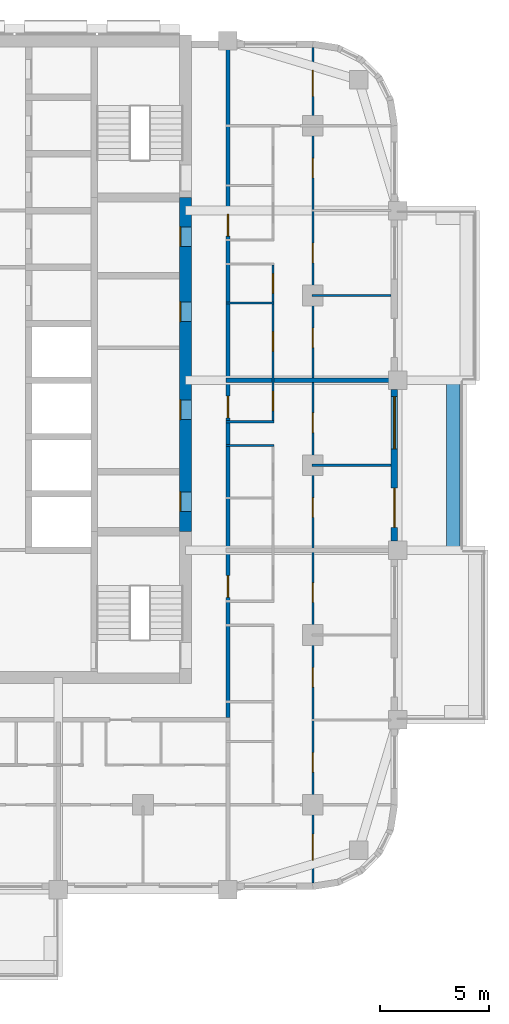
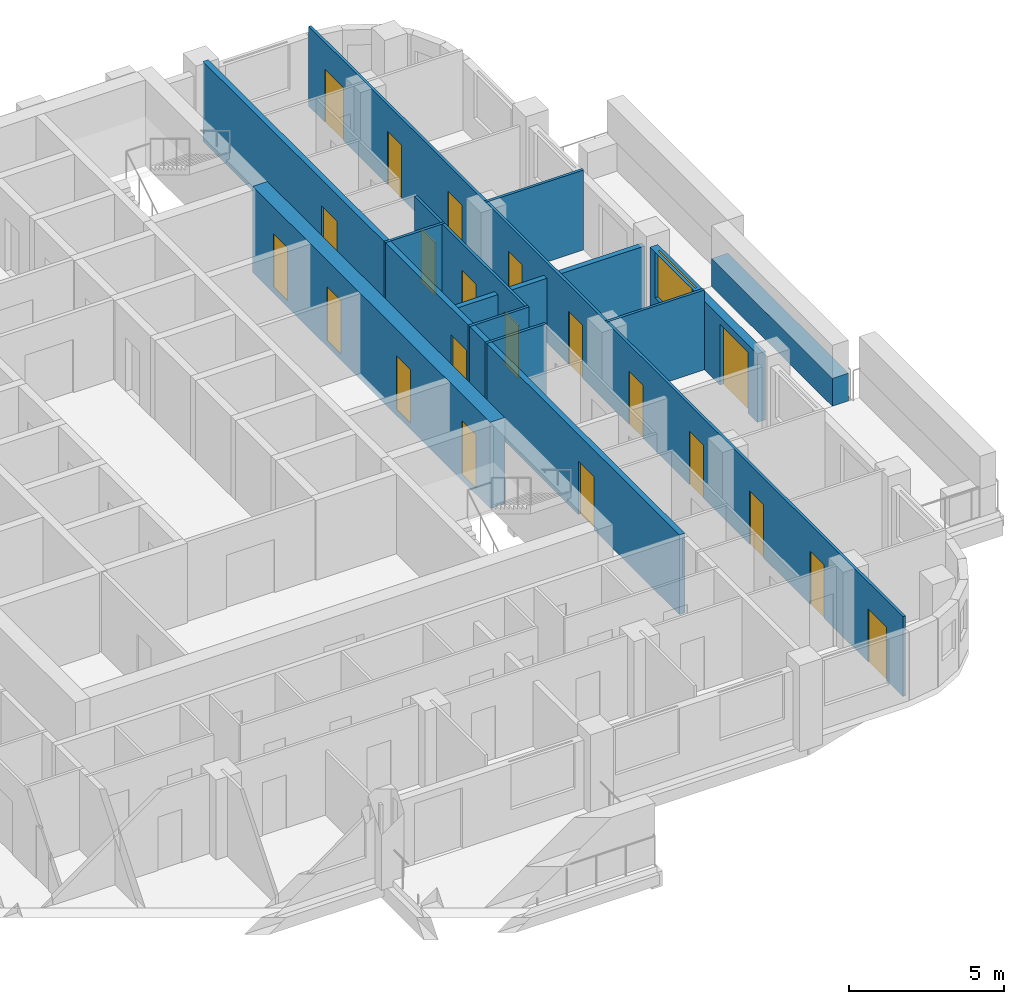
# One storey, part 7 of 14: 21 doors, 12 walls, 1 window, 22 openings.
"""IFC4 building model written with IfcOpenShell, lengths in metres."""

import ifcopenshell
import ifcopenshell.guid

model = None  # the IFC model being written
_history = None  # IfcOwnerHistory: only IFC2X3 demands one
_inside = {}  # id of a spatial element -> (the spatial element, [elements in it])
_under = {}  # id of a project, library or spatial element -> (it, [spatial elements below it])
_declared = {}  # id of a project -> (the project, [libraries it declares])
_typed = {}  # id of a type object -> (the type object, [elements of that type])
_made_of = {}  # id of a material, layer set ... -> (it, [elements and type objects made of it])


def new_model(schema):
    """Start an empty IFC model of exactly this schema.

    Asked for "IFC4X3", IfcOpenShell would pick the latest addendum, in which some entities
    have other attributes; the version numbers below select the first issue.
    IFC2X3 requires an IfcOwnerHistory on every rooted entity: one is made here for all.
    """
    global model, _history
    if schema == "IFC4X3":
        model = ifcopenshell.file(schema_version=(4, 3, 0, 0))
    else:
        model = ifcopenshell.file(schema=schema)
    _inside.clear()
    _under.clear()
    _declared.clear()
    _typed.clear()
    _made_of.clear()
    _history = None
    if model.schema == "IFC2X3":
        org = make("IfcOrganization", Name="unknown")
        user = make(
            "IfcPersonAndOrganization",
            ThePerson=make("IfcPerson", FamilyName="unknown"),
            TheOrganization=org,
        )
        app = make(
            "IfcApplication",
            ApplicationDeveloper=org,
            Version="unknown",
            ApplicationFullName="unknown",
            ApplicationIdentifier="unknown",
        )
        _history = make(
            "IfcOwnerHistory",
            OwningUser=user,
            OwningApplication=app,
            ChangeAction="ADDED",
            CreationDate=0,
        )
    return model


def make(cls, **values):
    """One entity of the class cls with the attributes given. An attribute that is None is left unset."""
    return model.create_entity(
        cls, **{name: value for name, value in values.items() if value is not None}
    )


def rooted(cls, **values):
    """An entity with a GlobalId (a new one), such as an element, a storey or a relation."""
    return make(cls, GlobalId=ifcopenshell.guid.new(), OwnerHistory=_history, **values)


def si_unit(unit_type, name, prefix=None):
    """IfcSIUnit, for example si_unit("LENGTHUNIT", "METRE", prefix="MILLI")."""
    return make("IfcSIUnit", UnitType=unit_type, Prefix=prefix, Name=name)


def assignment(units):
    """IfcUnitAssignment: the units of a project."""
    return None if units is None else make("IfcUnitAssignment", Units=units)


def point(xyz):
    """IfcCartesianPoint."""
    return None if xyz is None else make("IfcCartesianPoint", Coordinates=xyz)


def direction(xyz):
    """IfcDirection."""
    return None if xyz is None else make("IfcDirection", DirectionRatios=xyz)


def frame(location, z_axis=None, x_axis=None):
    """IfcAxis2Placement3D, a coordinate frame: its origin and axes. An axis left out is left unset."""
    return make(
        "IfcAxis2Placement3D",
        Location=point(location),
        Axis=direction(z_axis),
        RefDirection=direction(x_axis),
    )


def frame_2d(location, x_axis=None):
    """IfcAxis2Placement2D, a coordinate frame in the plane: its origin and x axis."""
    return make(
        "IfcAxis2Placement2D", Location=point(location), RefDirection=direction(x_axis)
    )


def origin():
    """The frame at (0, 0, 0) with its axes left unset."""
    return frame((0.0, 0.0, 0.0))


def place(relative_to, where):
    """IfcLocalPlacement: puts the frame where relative to a parent placement (None: the world)."""
    return make(
        "IfcLocalPlacement", PlacementRelTo=relative_to, RelativePlacement=where
    )


def context(
    kind, dimensions, precision=None, world=None, true_north=None, identifier=None
):
    """IfcGeometricRepresentationContext, for example the 3D "Model" context."""
    return make(
        "IfcGeometricRepresentationContext",
        ContextIdentifier=identifier,
        ContextType=kind,
        CoordinateSpaceDimension=dimensions,
        Precision=precision,
        WorldCoordinateSystem=world,
        TrueNorth=true_north,
    )


def subcontext(parent, identifier, kind, view, scale=None):
    """IfcGeometricRepresentationSubContext, for example "Body" below "Model"."""
    return make(
        "IfcGeometricRepresentationSubContext",
        ContextIdentifier=identifier,
        ContextType=kind,
        ParentContext=parent,
        TargetScale=scale,
        TargetView=view,
    )


def project(units=None, contexts=None):
    """IfcProject with its units and contexts."""
    return rooted(
        "IfcProject",
        Name="project",
        RepresentationContexts=contexts,
        UnitsInContext=assignment(units),
    )


def spatial(cls, under=None, at=None, **own):
    """A site, building, storey or space (cls), placed at a placement, below another one or the project."""
    s = rooted(cls, ObjectPlacement=at, **own)
    if under is not None:
        _under.setdefault(under.id(), (under, []))[1].append(s)
    return s


def profile(cls, at=None, kind="AREA", **sizes):
    """A parametric profile (cls). Its sizes go by their IFC names, for example OverallWidth=200.0."""
    return make(cls, ProfileType=kind, Position=at, **sizes)


def rectangle(**sizes):
    """IfcRectangleProfileDef."""
    return profile("IfcRectangleProfileDef", **sizes)


def extrude(swept, where, along, depth):
    """IfcExtrudedAreaSolid: the profile swept, set in the frame where, extruded along a direction by depth."""
    return make(
        "IfcExtrudedAreaSolid",
        SweptArea=swept,
        Position=where,
        ExtrudedDirection=direction(along),
        Depth=depth,
    )


def shape(context_of_items, identifier, shape_type, items):
    """IfcShapeRepresentation: the items that make up one representation, for example the "Body"."""
    return make(
        "IfcShapeRepresentation",
        ContextOfItems=context_of_items,
        RepresentationIdentifier=identifier,
        RepresentationType=shape_type,
        Items=items,
    )


def material(Name=None, Category=None):
    """IfcMaterial."""
    return make("IfcMaterial", Name=Name, Category=Category)


def layer(
    of_material, thickness, ventilated=None, Name=None, Category=None, Priority=None
):
    """IfcMaterialLayer: one layer of a wall or slab, of a material (None: an air gap)."""
    return make(
        "IfcMaterialLayer",
        Material=of_material,
        LayerThickness=thickness,
        IsVentilated=ventilated,
        Name=Name,
        Category=Category,
        Priority=Priority,
    )


def layer_set(layers, Name=None):
    """IfcMaterialLayerSet."""
    return make("IfcMaterialLayerSet", MaterialLayers=layers, LayerSetName=Name)


def made_of(thing, what):
    """Note that an element or type object is made of a material, layer set ...; save() writes the relation."""
    if what is not None:
        _made_of.setdefault(what.id(), (what, []))[1].append(thing)
    return thing


def type_object(cls, material=None, **own):
    """A type object (cls), such as IfcWallType, which elements share."""
    return made_of(rooted(cls, **own), material)


def element(
    cls,
    number,
    at=None,
    inside=None,
    cuts=None,
    type_object=None,
    material=None,
    context=None,
    identifier="Body",
    shape_type=None,
    held_by="IfcProductDefinitionShape",
    body=None,
    shapes=None,
    **own,
):
    """One element of the class cls, such as IfcWall. Its Tag is "e" and its number.

    at: its placement. inside: the storey or other place that contains it. cuts: it is an
    opening in that element (IfcRelVoidsElement). A single representation is given by context,
    identifier, shape_type and body (its items); several are given by shapes. held_by: the class
    of the entity that holds the representations. save() writes the other relations.
    """
    e = rooted(cls, Tag="e%d" % number, ObjectPlacement=at, **own)
    if body is not None:
        shapes = [shape(context, identifier, shape_type, body)]
    if shapes is not None:
        e.Representation = make(held_by, Representations=shapes)
    if inside is not None:
        _inside.setdefault(inside.id(), (inside, []))[1].append(e)
    if cuts is not None:
        rooted(
            "IfcRelVoidsElement", RelatingBuildingElement=cuts, RelatedOpeningElement=e
        )
    if type_object is not None:
        _typed.setdefault(type_object.id(), (type_object, []))[1].append(e)
    return made_of(e, material)


def fill(opening, filler):
    """IfcRelFillsElement: the door or window that sits in an opening."""
    return rooted(
        "IfcRelFillsElement",
        RelatingOpeningElement=opening,
        RelatedBuildingElement=filler,
    )


def aggregate(whole, parts):
    """IfcRelAggregates: a whole, such as a stair, and the parts it consists of."""
    return rooted("IfcRelAggregates", RelatingObject=whole, RelatedObjects=parts)


def save(model, path):
    """Write the relations noted so far, then the file.

    IfcRelAggregates (storeys below a building ...), IfcRelContainedInSpatialStructure (elements
    in a storey), IfcRelDefinesByType, IfcRelAssociatesMaterial and IfcRelDeclares: one each for
    every whole, place, type object, material and project.
    """
    for whole, parts in _under.values():
        aggregate(whole, parts)
    for where, things in _inside.values():
        rooted(
            "IfcRelContainedInSpatialStructure",
            RelatedElements=things,
            RelatingStructure=where,
        )
    for kind, things in _typed.values():
        rooted("IfcRelDefinesByType", RelatedObjects=things, RelatingType=kind)
    for what, things in _made_of.values():
        rooted("IfcRelAssociatesMaterial", RelatedObjects=things, RelatingMaterial=what)
    for by, libraries in _declared.values():
        rooted("IfcRelDeclares", RelatingContext=by, RelatedDefinitions=libraries)
    model.write(path)


model = new_model("IFC4")

# Units and contexts
model_context = context("Model", 3, precision=1e-05, world=origin(), true_north=direction((0.0, 1.0)))
body_context = subcontext(model_context, "Body", "Model", "MODEL_VIEW")
ifc_project = project(units=[si_unit("LENGTHUNIT", "METRE"), si_unit("AREAUNIT", "SQUARE_METRE"), si_unit("VOLUMEUNIT", "CUBIC_METRE"), si_unit("PLANEANGLEUNIT", "RADIAN"), si_unit("MASSUNIT", "GRAM", prefix="KILO")], contexts=[model_context])

# Site, building, storey
site_placement = place(None, origin())
site = spatial("IfcSite", under=ifc_project, at=site_placement, CompositionType="ELEMENT")
building_placement = place(site_placement, origin())
building = spatial("IfcBuilding", under=site, at=building_placement, Name="Ludao Terraces", CompositionType="ELEMENT")
storey_placement = place(building_placement, frame((0.0, 0.0, 103.300048828125)))
storey = spatial("IfcBuildingStorey", under=building, at=storey_placement, Name="L28", CompositionType="ELEMENT", Elevation=103.300048828125)

# Wall, openings, doors
ifc_material_1 = material(Name="Concrete C60", Category="concrete")
ifc_layer_1 = layer(ifc_material_1, 0.550048828125)
ifc_layer_set_1 = layer_set([ifc_layer_1], Name="Core wall 550 C60")
wall_type_1 = type_object("IfcWallType", Name="Core wall 550 C60", PredefinedType="SOLIDWALL", material=ifc_layer_set_1)
wall_1_placement = place(storey_placement, frame((94.75, 61.949951171875, -0.25), z_axis=(0.0, 0.0, 1.0), x_axis=(0.0, 1.0, 0.0)))
wall_1 = element("IfcWall", 1, at=wall_1_placement, inside=storey, type_object=wall_type_1, Name="Core wall L28 outer-E", PredefinedType="SOLIDWALL", context=body_context, shape_type="SweptSolid", body=[
    extrude(rectangle(XDim=15.35009765625, YDim=0.550048828125, at=frame_2d((7.675048828125, 0.0))), origin(), (0.0, 0.0, 1.0), 3.39990234375),
])
opening_1_placement = place(wall_1_placement, frame((0.925048828125, 0.0, 0.25)))
opening_1 = element("IfcOpeningElement", 2, at=opening_1_placement, cuts=wall_1, Name="Opening R08-049", PredefinedType="OPENING", context=body_context, shape_type="SweptSolid", body=[
    extrude(rectangle(XDim=0.89990234375, YDim=2.10009765625, at=frame_2d((0.449951171875, 1.050048828125))), frame((0.0, 0.28515625, 0.0), z_axis=(0.0, -1.0, 0.0), x_axis=(1.0, 0.0, 0.0)), (0.0, 0.0, 1.0), 0.570068359375),
])
opening_2_placement = place(wall_1_placement, frame((5.14990234375, 0.0, 0.25)))
opening_2 = element("IfcOpeningElement", 3, at=opening_2_placement, cuts=wall_1, Name="Opening R08-057", PredefinedType="OPENING", context=body_context, shape_type="SweptSolid", body=[
    extrude(rectangle(XDim=0.89990234375, YDim=2.10009765625, at=frame_2d((0.449951171875, 1.050048828125))), frame((0.0, 0.28515625, 0.0), z_axis=(0.0, -1.0, 0.0), x_axis=(1.0, 0.0, 0.0)), (0.0, 0.0, 1.0), 0.570068359375),
])
opening_3_placement = place(wall_1_placement, frame((9.64990234375, 0.0, 0.25)))
opening_3 = element("IfcOpeningElement", 4, at=opening_3_placement, cuts=wall_1, Name="Opening R08-067", PredefinedType="OPENING", context=body_context, shape_type="SweptSolid", body=[
    extrude(rectangle(XDim=0.89990234375, YDim=2.10009765625, at=frame_2d((0.449951171875, 1.050048828125))), frame((0.0, 0.28515625, 0.0), z_axis=(0.0, -1.0, 0.0), x_axis=(1.0, 0.0, 0.0)), (0.0, 0.0, 1.0), 0.570068359375),
])
opening_4_placement = place(wall_1_placement, frame((13.10009765625, 0.0, 0.25)))
opening_4 = element("IfcOpeningElement", 5, at=opening_4_placement, cuts=wall_1, Name="Opening R08-081", PredefinedType="OPENING", context=body_context, shape_type="SweptSolid", body=[
    extrude(rectangle(XDim=0.89990234375, YDim=2.10009765625, at=frame_2d((0.449951171875, 1.050048828125))), frame((0.0, 0.28515625, 0.0), z_axis=(0.0, -1.0, 0.0), x_axis=(1.0, 0.0, 0.0)), (0.0, 0.0, 1.0), 0.570068359375),
])
ifc_material_2 = material(Name="Steel Q235", Category="steel")
door_type_1 = type_object("IfcDoorType", Name="INT Riser door 900", OperationType="SINGLE_SWING_LEFT", PredefinedType="DOOR", material=ifc_material_2)
door_1_placement = place(opening_1_placement, origin())
door_1 = element("IfcDoor", 6, at=door_1_placement, inside=storey, type_object=door_type_1, Name="DOOR 049", OperationType="SINGLE_SWING_LEFT", OverallHeight=2.10009765625, OverallWidth=0.89990234375, PredefinedType="DOOR", context=body_context, shape_type="SweptSolid", body=[
    extrude(rectangle(XDim=0.89990234375, YDim=2.10009765625, at=frame_2d((0.449951171875, 1.050048828125))), frame((0.0, 0.26025390625, 0.0), z_axis=(0.0, -1.0, 0.0), x_axis=(1.0, 0.0, 0.0)), (0.0, 0.0, 1.0), 0.050048828125),
])
fill(opening_1, door_1)
door_2_placement = place(opening_4_placement, origin())
door_2 = element("IfcDoor", 7, at=door_2_placement, inside=storey, type_object=door_type_1, Name="DOOR 081", OperationType="SINGLE_SWING_RIGHT", OverallHeight=2.10009765625, OverallWidth=0.89990234375, PredefinedType="DOOR", context=body_context, shape_type="SweptSolid", body=[
    extrude(rectangle(XDim=0.89990234375, YDim=2.10009765625, at=frame_2d((0.449951171875, 1.050048828125))), frame((0.0, 0.26025390625, 0.0), z_axis=(0.0, -1.0, 0.0), x_axis=(1.0, 0.0, 0.0)), (0.0, 0.0, 1.0), 0.050048828125),
])
fill(opening_4, door_2)
ifc_material_3 = material(Name="Timber door leaf", Category="wood")
door_type_2 = type_object("IfcDoorType", Name="INT Room door 900", OperationType="SINGLE_SWING_LEFT", PredefinedType="DOOR", material=ifc_material_3)
door_3_placement = place(opening_2_placement, origin())
door_3 = element("IfcDoor", 8, at=door_3_placement, inside=storey, type_object=door_type_2, Name="DOOR 057", OperationType="SINGLE_SWING_LEFT", OverallHeight=2.10009765625, OverallWidth=0.89990234375, PredefinedType="DOOR", context=body_context, shape_type="SweptSolid", body=[
    extrude(rectangle(XDim=0.89990234375, YDim=2.10009765625, at=frame_2d((0.449951171875, 1.050048828125))), frame((0.0, 0.26025390625, 0.0), z_axis=(0.0, -1.0, 0.0), x_axis=(1.0, 0.0, 0.0)), (0.0, 0.0, 1.0), 0.050048828125),
])
fill(opening_2, door_3)
door_4_placement = place(opening_3_placement, origin())
door_4 = element("IfcDoor", 9, at=door_4_placement, inside=storey, type_object=door_type_2, Name="DOOR 067", OperationType="SINGLE_SWING_RIGHT", OverallHeight=2.10009765625, OverallWidth=0.89990234375, PredefinedType="DOOR", context=body_context, shape_type="SweptSolid", body=[
    extrude(rectangle(XDim=0.89990234375, YDim=2.10009765625, at=frame_2d((0.449951171875, 1.050048828125))), frame((0.0, 0.26025390625, 0.0), z_axis=(0.0, -1.0, 0.0), x_axis=(1.0, 0.0, 0.0)), (0.0, 0.0, 1.0), 0.050048828125),
])
fill(opening_3, door_4)

# Wall
ifc_material_4 = material(Name="Concrete C40", Category="concrete")
ifc_layer_2 = layer(ifc_material_4, 0.60009765625)
ifc_layer_set_2 = layer_set([ifc_layer_2], Name="ENV Planter trough 600")
wall_type_2 = type_object("IfcWallType", Name="ENV Planter trough 600", PredefinedType="USERDEFINED", material=ifc_layer_set_2)
wall_2_placement = place(storey_placement, frame((107.050048828125, 61.10009765625, 0.0), z_axis=(0.0, 0.0, 1.0), x_axis=(0.0, 1.0, 0.0)))
element("IfcWall", 10, at=wall_2_placement, inside=storey, type_object=wall_type_2, Name="PL-L28-E2", ObjectType="PLANTER", PredefinedType="USERDEFINED", context=body_context, shape_type="SweptSolid", body=[
    extrude(rectangle(XDim=7.7998046875, YDim=0.60009765625, at=frame_2d((3.89990234375, 0.0))), origin(), (0.0, 0.0, 1.0), 1.099853515625),
])

# Wall, openings, door, window
ifc_material_5 = material(Name="Granite cladding", Category="masonry")
ifc_layer_3 = layer(ifc_material_5, 0.0400390625, Category="stone")
ifc_material_6 = material(Name="Mineral wool")
ifc_layer_4 = layer(ifc_material_6, 0.06005859375)
ifc_layer_5 = layer(ifc_material_4, 0.199951171875, Category="concrete")
ifc_layer_set_3 = layer_set([ifc_layer_3, ifc_layer_4, ifc_layer_5], Name="ENV Stone-clad wall 300")
wall_type_3 = type_object("IfcWallType", Name="ENV Stone-clad wall 300", PredefinedType="SOLIDWALL", material=ifc_layer_set_3)
wall_3_placement = place(storey_placement, frame((104.35009765625, 61.52490234375, 0.0), z_axis=(0.0, 0.0, 1.0), x_axis=(0.0, 1.0, 0.0)))
wall_3 = element("IfcWall", 11, at=wall_3_placement, inside=storey, type_object=wall_type_3, Name="EW-L28-E3", PredefinedType="SOLIDWALL", context=body_context, shape_type="SweptSolid", body=[
    extrude(rectangle(XDim=6.9501953125, YDim=0.300048828125, at=frame_2d((3.47509765625, 0.0))), origin(), (0.0, 0.0, 1.0), 2.699951171875),
])
opening_5_placement = place(wall_3_placement, frame((0.625, 0.0, 0.0)))
opening_5 = element("IfcOpeningElement", 12, at=opening_5_placement, cuts=wall_3, Name="Opening BD", PredefinedType="OPENING", context=body_context, shape_type="SweptSolid", body=[
    extrude(rectangle(XDim=1.800048828125, YDim=2.39990234375, at=frame_2d((0.89990234375, 1.199951171875))), frame((0.0, 0.16015625, 0.0), z_axis=(0.0, -1.0, 0.0), x_axis=(1.0, 0.0, 0.0)), (0.0, 0.0, 1.0), 0.320068359375),
])
opening_6_placement = place(wall_3_placement, frame((4.22509765625, 0.0, 0.89990234375)))
opening_6 = element("IfcOpeningElement", 13, at=opening_6_placement, cuts=wall_3, Name="Opening W1", PredefinedType="OPENING", context=body_context, shape_type="SweptSolid", body=[
    extrude(rectangle(XDim=2.39990234375, YDim=1.800048828125, at=frame_2d((1.199951171875, 0.89990234375))), frame((0.0, 0.16015625, 0.0), z_axis=(0.0, -1.0, 0.0), x_axis=(1.0, 0.0, 0.0)), (0.0, 0.0, 1.0), 0.320068359375),
])
ifc_material_7 = material(Name="Aluminium glazed door", Category="aluminium")
ifc_layer_6 = layer(ifc_material_7, 0.06005859375)
ifc_layer_set_4 = layer_set([ifc_layer_6], Name="ENV Balcony door BD 1800x2400")
door_type_3 = type_object("IfcDoorType", Name="ENV Balcony door BD 1800x2400", OperationType="DOUBLE_DOOR_SINGLE_SWING", PredefinedType="DOOR", material=ifc_layer_set_4)
door_5_placement = place(opening_5_placement, origin())
door_5 = element("IfcDoor", 14, at=door_5_placement, inside=storey, type_object=door_type_3, Name="BD-L28-E3-1", OperationType="DOUBLE_DOOR_SINGLE_SWING", OverallHeight=2.39990234375, OverallWidth=1.800048828125, PredefinedType="DOOR", context=body_context, shape_type="SweptSolid", body=[
    extrude(rectangle(XDim=1.800048828125, YDim=2.39990234375, at=frame_2d((0.89990234375, 1.199951171875))), frame((0.0, 0.02490234375, 0.0), z_axis=(0.0, -1.0, 0.0), x_axis=(1.0, 0.0, 0.0)), (0.0, 0.0, 1.0), 0.050048828125),
])
fill(opening_5, door_5)
ifc_material_8 = material(Name="Clear glass in aluminium frame", Category="aluminium")
ifc_layer_7 = layer(ifc_material_8, 0.06005859375)
ifc_layer_set_5 = layer_set([ifc_layer_7], Name="ENV Window W1 2400x1800")
window_type = type_object("IfcWindowType", Name="ENV Window W1 2400x1800", PartitioningType="DOUBLE_PANEL_VERTICAL", PredefinedType="WINDOW", material=ifc_layer_set_5)
window_placement = place(opening_6_placement, origin())
window = element("IfcWindow", 15, at=window_placement, inside=storey, type_object=window_type, Name="W-L28-E3-2", OverallHeight=1.800048828125, OverallWidth=2.39990234375, PartitioningType="DOUBLE_PANEL_VERTICAL", PredefinedType="WINDOW", context=body_context, shape_type="SweptSolid", body=[
    extrude(rectangle(XDim=2.39990234375, YDim=1.800048828125, at=frame_2d((1.199951171875, 0.89990234375))), frame((0.0, 0.030029296875, 0.0), z_axis=(0.0, -1.0, 0.0), x_axis=(1.0, 0.0, 0.0)), (0.0, 0.0, 1.0), 0.06005859375),
])
fill(opening_6, window)

# Wall, openings, doors
ifc_material_9 = material(Name="Autoclaved aerated concrete block B06 A3.5", Category="concrete")
ifc_layer_8 = layer(ifc_material_9, 0.199951171875)
ifc_layer_set_6 = layer_set([ifc_layer_8], Name="INT Entrance wall 200")
wall_type_4 = type_object("IfcWallType", Name="INT Entrance wall 200", PredefinedType="PARTITIONING", material=ifc_layer_set_6)
wall_4_placement = place(storey_placement, frame((96.699951171875, 53.400146484375, 0.0), z_axis=(0.0, 0.0, 1.0), x_axis=(0.0, 1.0, 0.0)))
wall_4 = element("IfcWall", 16, at=wall_4_placement, inside=storey, type_object=wall_type_4, Name="PW-L28-PW072", PredefinedType="PARTITIONING", context=body_context, shape_type="SweptSolid", body=[
    extrude(rectangle(XDim=30.800048828125, YDim=0.199951171875, at=frame_2d((15.39990234375, 0.0))), origin(), (0.0, 0.0, 1.0), 3.14990234375),
])
opening_7_placement = place(wall_4_placement, frame((5.52490234375, 0.0, 0.0)))
opening_7 = element("IfcOpeningElement", 17, at=opening_7_placement, cuts=wall_4, Name="Opening R08-039", PredefinedType="OPENING", context=body_context, shape_type="SweptSolid", body=[
    extrude(rectangle(XDim=1.0, YDim=2.10009765625, at=frame_2d((0.5, 1.050048828125))), frame((0.0, 0.10986328125, 0.0), z_axis=(0.0, -1.0, 0.0), x_axis=(1.0, 0.0, 0.0)), (0.0, 0.0, 1.0), 0.219970703125),
])
opening_8_placement = place(wall_4_placement, frame((13.77490234375, 0.0, 0.0)))
opening_8 = element("IfcOpeningElement", 18, at=opening_8_placement, cuts=wall_4, Name="Opening R08-059", PredefinedType="OPENING", context=body_context, shape_type="SweptSolid", body=[
    extrude(rectangle(XDim=1.0, YDim=2.10009765625, at=frame_2d((0.5, 1.050048828125))), frame((0.0, 0.10986328125, 0.0), z_axis=(0.0, -1.0, 0.0), x_axis=(1.0, 0.0, 0.0)), (0.0, 0.0, 1.0), 0.219970703125),
])
opening_9_placement = place(wall_4_placement, frame((22.125, 0.0, 0.0)))
opening_9 = element("IfcOpeningElement", 19, at=opening_9_placement, cuts=wall_4, Name="Opening R08-082", PredefinedType="OPENING", context=body_context, shape_type="SweptSolid", body=[
    extrude(rectangle(XDim=1.0, YDim=2.10009765625, at=frame_2d((0.5, 1.050048828125))), frame((0.0, 0.10986328125, 0.0), z_axis=(0.0, -1.0, 0.0), x_axis=(1.0, 0.0, 0.0)), (0.0, 0.0, 1.0), 0.219970703125),
])
door_type_4 = type_object("IfcDoorType", Name="INT Flat entrance door 1000", OperationType="SINGLE_SWING_LEFT", PredefinedType="DOOR", material=ifc_material_2)
door_6_placement = place(opening_7_placement, origin())
door_6 = element("IfcDoor", 20, at=door_6_placement, inside=storey, type_object=door_type_4, Name="DOOR 039", OperationType="SINGLE_SWING_LEFT", OverallHeight=2.10009765625, OverallWidth=1.0, PredefinedType="DOOR", context=body_context, shape_type="SweptSolid", body=[
    extrude(rectangle(XDim=1.0, YDim=2.10009765625, at=frame_2d((0.5, 1.050048828125))), frame((0.0, 0.02490234375, 0.0), z_axis=(0.0, -1.0, 0.0), x_axis=(1.0, 0.0, 0.0)), (0.0, 0.0, 1.0), 0.050048828125),
])
fill(opening_7, door_6)
door_7_placement = place(opening_8_placement, origin())
door_7 = element("IfcDoor", 21, at=door_7_placement, inside=storey, type_object=door_type_4, Name="DOOR 059", OperationType="SINGLE_SWING_LEFT", OverallHeight=2.10009765625, OverallWidth=1.0, PredefinedType="DOOR", context=body_context, shape_type="SweptSolid", body=[
    extrude(rectangle(XDim=1.0, YDim=2.10009765625, at=frame_2d((0.5, 1.050048828125))), frame((0.0, 0.02490234375, 0.0), z_axis=(0.0, -1.0, 0.0), x_axis=(1.0, 0.0, 0.0)), (0.0, 0.0, 1.0), 0.050048828125),
])
fill(opening_8, door_7)
door_8_placement = place(opening_9_placement, origin())
door_8 = element("IfcDoor", 22, at=door_8_placement, inside=storey, type_object=door_type_4, Name="DOOR 082", OperationType="SINGLE_SWING_LEFT", OverallHeight=2.10009765625, OverallWidth=1.0, PredefinedType="DOOR", context=body_context, shape_type="SweptSolid", body=[
    extrude(rectangle(XDim=1.0, YDim=2.10009765625, at=frame_2d((0.5, 1.050048828125))), frame((0.0, 0.02490234375, 0.0), z_axis=(0.0, -1.0, 0.0), x_axis=(1.0, 0.0, 0.0)), (0.0, 0.0, 1.0), 0.050048828125),
])
fill(opening_9, door_8)

# Walls
ifc_material_10 = material(Name="Gypsum plasterboard", Category="gypsum")
ifc_layer_9 = layer(ifc_material_10, 0.012451171875, Category="gypsum")
ifc_layer_10 = layer(ifc_material_6, 0.06005859375, Name="insulation")
ifc_layer_11 = layer(ifc_material_2, 0.014892578125, Name="stud")
ifc_layer_12 = layer(ifc_material_10, 0.012451171875, Category="gypsum")
ifc_layer_set_7 = layer_set([ifc_layer_9, ifc_layer_10, ifc_layer_11, ifc_layer_12], Name="INT Partition 100")
wall_type_5 = type_object("IfcWallType", Name="INT Partition 100", PredefinedType="PARTITIONING", material=ifc_layer_set_7)
wall_5_placement = place(storey_placement, frame((100.550048828125, 65.0, 0.0), z_axis=(0.0, 0.0, 1.0), x_axis=(1.0, 0.0, 0.0)))
element("IfcWall", 23, at=wall_5_placement, inside=storey, type_object=wall_type_5, Name="PW-L28-PW024", PredefinedType="PARTITIONING", context=body_context, shape_type="SweptSolid", body=[
    extrude(rectangle(XDim=3.650146484375, YDim=0.10009765625, at=frame_2d((1.8251953125, 0.0))), origin(), (0.0, 0.0, 1.0), 3.14990234375),
])
for number, where, z_axis, x_axis, name in (
    (24, (96.60009765625, 65.89990234375, 0.0), (0.0, 0.0, 1.0), (1.0, 0.0, 0.0), "PW-L28-PW025"),
    (25, (96.60009765625, 67.0, 0.0), (0.0, 0.0, 1.0), (1.0, 0.0, 0.0), "PW-L28-PW026"),
    (26, (96.60009765625, 72.449951171875, 0.0), (0.0, 0.0, 1.0), (1.0, 0.0, 0.0), "PW-L28-PW035"),
):
    element("IfcWall", number, at=place(storey_placement, frame(where, z_axis=z_axis, x_axis=x_axis)), inside=storey, type_object=wall_type_5, Name=name, PredefinedType="PARTITIONING", context=body_context, shape_type="SweptSolid", body=[
        extrude(rectangle(XDim=2.219970703125, YDim=0.10009765625, at=frame_2d((1.10986328125, 0.0))), origin(), (0.0, 0.0, 1.0), 3.14990234375),
    ])
wall_6_placement = place(storey_placement, frame((100.550048828125, 72.800048828125, 0.0), z_axis=(0.0, 0.0, 1.0), x_axis=(1.0, 0.0, 0.0)))
element("IfcWall", 27, at=wall_6_placement, inside=storey, type_object=wall_type_5, Name="PW-L28-PW037", PredefinedType="PARTITIONING", context=body_context, shape_type="SweptSolid", body=[
    extrude(rectangle(XDim=3.650146484375, YDim=0.10009765625, at=frame_2d((1.8251953125, 0.0))), origin(), (0.0, 0.0, 1.0), 3.14990234375),
])

# Wall, openings, doors
wall_7_placement = place(storey_placement, frame((98.77001953125, 67.050048828125, 0.0), z_axis=(0.0, 0.0, 1.0), x_axis=(0.0, 1.0, 0.0)))
wall_7 = element("IfcWall", 28, at=wall_7_placement, inside=storey, type_object=wall_type_5, Name="PW-L28-PW075", PredefinedType="PARTITIONING", context=body_context, shape_type="SweptSolid", body=[
    extrude(rectangle(XDim=7.150146484375, YDim=0.10009765625, at=frame_2d((3.5751953125, 0.0))), origin(), (0.0, 0.0, 1.0), 3.14990234375),
])
opening_10_placement = place(wall_7_placement, frame((0.449951171875, 0.0, 0.0)))
opening_10 = element("IfcOpeningElement", 29, at=opening_10_placement, cuts=wall_7, Name="Opening R08-060", PredefinedType="OPENING", context=body_context, shape_type="SweptSolid", body=[
    extrude(rectangle(XDim=0.89990234375, YDim=2.10009765625, at=frame_2d((0.449951171875, 1.050048828125))), frame((0.0, 0.06005859375, 0.0), z_axis=(0.0, -1.0, 0.0), x_axis=(1.0, 0.0, 0.0)), (0.0, 0.0, 1.0), 0.1201171875),
])
opening_11_placement = place(wall_7_placement, frame((3.175048828125, 0.0, 0.0)))
opening_11 = element("IfcOpeningElement", 30, at=opening_11_placement, cuts=wall_7, Name="Opening R08-064", PredefinedType="OPENING", context=body_context, shape_type="SweptSolid", body=[
    extrude(rectangle(XDim=0.89990234375, YDim=2.10009765625, at=frame_2d((0.449951171875, 1.050048828125))), frame((0.0, 0.06005859375, 0.0), z_axis=(0.0, -1.0, 0.0), x_axis=(1.0, 0.0, 0.0)), (0.0, 0.0, 1.0), 0.1201171875),
])
opening_12_placement = place(wall_7_placement, frame((5.85009765625, 0.0, 0.0)))
opening_12 = element("IfcOpeningElement", 31, at=opening_12_placement, cuts=wall_7, Name="Opening R08-073", PredefinedType="OPENING", context=body_context, shape_type="SweptSolid", body=[
    extrude(rectangle(XDim=0.89990234375, YDim=2.10009765625, at=frame_2d((0.449951171875, 1.050048828125))), frame((0.0, 0.06005859375, 0.0), z_axis=(0.0, -1.0, 0.0), x_axis=(1.0, 0.0, 0.0)), (0.0, 0.0, 1.0), 0.1201171875),
])
door_type_5 = type_object("IfcDoorType", Name="INT Bathroom door 900", OperationType="SINGLE_SWING_LEFT", PredefinedType="DOOR", material=ifc_material_3)
door_9_placement = place(opening_12_placement, origin())
door_9 = element("IfcDoor", 32, at=door_9_placement, inside=storey, type_object=door_type_5, Name="DOOR 073", OperationType="SINGLE_SWING_RIGHT", OverallHeight=2.10009765625, OverallWidth=0.89990234375, PredefinedType="DOOR", context=body_context, shape_type="SweptSolid", body=[
    extrude(rectangle(XDim=0.89990234375, YDim=2.10009765625, at=frame_2d((0.449951171875, 1.050048828125))), frame((0.0, 0.02490234375, 0.0), z_axis=(0.0, -1.0, 0.0), x_axis=(1.0, 0.0, 0.0)), (0.0, 0.0, 1.0), 0.050048828125),
])
fill(opening_12, door_9)
door_10_placement = place(opening_10_placement, origin())
door_10 = element("IfcDoor", 33, at=door_10_placement, inside=storey, type_object=door_type_2, Name="DOOR 060", OperationType="SINGLE_SWING_RIGHT", OverallHeight=2.10009765625, OverallWidth=0.89990234375, PredefinedType="DOOR", context=body_context, shape_type="SweptSolid", body=[
    extrude(rectangle(XDim=0.89990234375, YDim=2.10009765625, at=frame_2d((0.449951171875, 1.050048828125))), frame((0.0, 0.02490234375, 0.0), z_axis=(0.0, -1.0, 0.0), x_axis=(1.0, 0.0, 0.0)), (0.0, 0.0, 1.0), 0.050048828125),
])
fill(opening_10, door_10)
door_11_placement = place(opening_11_placement, origin())
door_11 = element("IfcDoor", 34, at=door_11_placement, inside=storey, type_object=door_type_2, Name="DOOR 064", OperationType="SINGLE_SWING_LEFT", OverallHeight=2.10009765625, OverallWidth=0.89990234375, PredefinedType="DOOR", context=body_context, shape_type="SweptSolid", body=[
    extrude(rectangle(XDim=0.89990234375, YDim=2.10009765625, at=frame_2d((0.449951171875, 1.050048828125))), frame((0.0, 0.02490234375, 0.0), z_axis=(0.0, -1.0, 0.0), x_axis=(1.0, 0.0, 0.0)), (0.0, 0.0, 1.0), 0.050048828125),
])
fill(opening_11, door_11)

wall_8_placement = place(storey_placement, frame((100.60009765625, 45.800048828125, 0.0), z_axis=(0.0, 0.0, 1.0), x_axis=(0.0, 1.0, 0.0)))
wall_8 = element("IfcWall", 35, at=wall_8_placement, inside=storey, type_object=wall_type_5, Name="PW-L28-PW077", PredefinedType="PARTITIONING", context=body_context, shape_type="SweptSolid", body=[
    extrude(rectangle(XDim=38.400146484375, YDim=0.10009765625, at=frame_2d((19.2001953125, 0.0))), origin(), (0.0, 0.0, 1.0), 3.14990234375),
])
opening_13_placement = place(wall_8_placement, frame((1.050048828125, 0.0, 0.0)))
opening_13 = element("IfcOpeningElement", 36, at=opening_13_placement, cuts=wall_8, Name="Opening R08-002", PredefinedType="OPENING", context=body_context, shape_type="SweptSolid", body=[
    extrude(rectangle(XDim=1.199951171875, YDim=2.10009765625, at=frame_2d((0.60009765625, 1.050048828125))), frame((0.0, 0.06005859375, 0.0), z_axis=(0.0, -1.0, 0.0), x_axis=(1.0, 0.0, 0.0)), (0.0, 0.0, 1.0), 0.1201171875),
])
opening_14_placement = place(wall_8_placement, frame((5.10009765625, 0.0, 0.0)))
opening_14 = element("IfcOpeningElement", 37, at=opening_14_placement, cuts=wall_8, Name="Opening R08-023", PredefinedType="OPENING", context=body_context, shape_type="SweptSolid", body=[
    extrude(rectangle(XDim=0.89990234375, YDim=2.10009765625, at=frame_2d((0.449951171875, 1.050048828125))), frame((0.0, 0.06005859375, 0.0), z_axis=(0.0, -1.0, 0.0), x_axis=(1.0, 0.0, 0.0)), (0.0, 0.0, 1.0), 0.1201171875),
])
opening_15_placement = place(wall_8_placement, frame((9.0, 0.0, 0.0)))
opening_15 = element("IfcOpeningElement", 38, at=opening_15_placement, cuts=wall_8, Name="Opening R08-030", PredefinedType="OPENING", context=body_context, shape_type="SweptSolid", body=[
    extrude(rectangle(XDim=0.89990234375, YDim=2.10009765625, at=frame_2d((0.449951171875, 1.050048828125))), frame((0.0, 0.06005859375, 0.0), z_axis=(0.0, -1.0, 0.0), x_axis=(1.0, 0.0, 0.0)), (0.0, 0.0, 1.0), 0.1201171875),
])
opening_16_placement = place(wall_8_placement, frame((12.89990234375, 0.0, 0.0)))
opening_16 = element("IfcOpeningElement", 39, at=opening_16_placement, cuts=wall_8, Name="Opening R08-038", PredefinedType="OPENING", context=body_context, shape_type="SweptSolid", body=[
    extrude(rectangle(XDim=0.89990234375, YDim=2.10009765625, at=frame_2d((0.449951171875, 1.050048828125))), frame((0.0, 0.06005859375, 0.0), z_axis=(0.0, -1.0, 0.0), x_axis=(1.0, 0.0, 0.0)), (0.0, 0.0, 1.0), 0.1201171875),
])
opening_17_placement = place(wall_8_placement, frame((16.800048828125, 0.0, 0.0)))
opening_17 = element("IfcOpeningElement", 40, at=opening_17_placement, cuts=wall_8, Name="Opening R08-048", PredefinedType="OPENING", context=body_context, shape_type="SweptSolid", body=[
    extrude(rectangle(XDim=0.89990234375, YDim=2.10009765625, at=frame_2d((0.449951171875, 1.050048828125))), frame((0.0, 0.06005859375, 0.0), z_axis=(0.0, -1.0, 0.0), x_axis=(1.0, 0.0, 0.0)), (0.0, 0.0, 1.0), 0.1201171875),
])
opening_18_placement = place(wall_8_placement, frame((20.699951171875, 0.0, 0.0)))
opening_18 = element("IfcOpeningElement", 41, at=opening_18_placement, cuts=wall_8, Name="Opening R08-056", PredefinedType="OPENING", context=body_context, shape_type="SweptSolid", body=[
    extrude(rectangle(XDim=0.89990234375, YDim=2.10009765625, at=frame_2d((0.449951171875, 1.050048828125))), frame((0.0, 0.06005859375, 0.0), z_axis=(0.0, -1.0, 0.0), x_axis=(1.0, 0.0, 0.0)), (0.0, 0.0, 1.0), 0.1201171875),
])
opening_19_placement = place(wall_8_placement, frame((24.60009765625, 0.0, 0.0)))
opening_19 = element("IfcOpeningElement", 42, at=opening_19_placement, cuts=wall_8, Name="Opening R08-066", PredefinedType="OPENING", context=body_context, shape_type="SweptSolid", body=[
    extrude(rectangle(XDim=0.89990234375, YDim=2.10009765625, at=frame_2d((0.449951171875, 1.050048828125))), frame((0.0, 0.06005859375, 0.0), z_axis=(0.0, -1.0, 0.0), x_axis=(1.0, 0.0, 0.0)), (0.0, 0.0, 1.0), 0.1201171875),
])
opening_20_placement = place(wall_8_placement, frame((28.5, 0.0, 0.0)))
opening_20 = element("IfcOpeningElement", 43, at=opening_20_placement, cuts=wall_8, Name="Opening R08-076", PredefinedType="OPENING", context=body_context, shape_type="SweptSolid", body=[
    extrude(rectangle(XDim=0.89990234375, YDim=2.10009765625, at=frame_2d((0.449951171875, 1.050048828125))), frame((0.0, 0.06005859375, 0.0), z_axis=(0.0, -1.0, 0.0), x_axis=(1.0, 0.0, 0.0)), (0.0, 0.0, 1.0), 0.1201171875),
])
opening_21_placement = place(wall_8_placement, frame((32.39990234375, 0.0, 0.0)))
opening_21 = element("IfcOpeningElement", 44, at=opening_21_placement, cuts=wall_8, Name="Opening R08-091", PredefinedType="OPENING", context=body_context, shape_type="SweptSolid", body=[
    extrude(rectangle(XDim=0.89990234375, YDim=2.10009765625, at=frame_2d((0.449951171875, 1.050048828125))), frame((0.0, 0.06005859375, 0.0), z_axis=(0.0, -1.0, 0.0), x_axis=(1.0, 0.0, 0.0)), (0.0, 0.0, 1.0), 0.1201171875),
])
opening_22_placement = place(wall_8_placement, frame((36.14990234375, 0.0, 0.0)))
opening_22 = element("IfcOpeningElement", 45, at=opening_22_placement, cuts=wall_8, Name="Opening R08-099", PredefinedType="OPENING", context=body_context, shape_type="SweptSolid", body=[
    extrude(rectangle(XDim=1.199951171875, YDim=2.10009765625, at=frame_2d((0.60009765625, 1.050048828125))), frame((0.0, 0.06005859375, 0.0), z_axis=(0.0, -1.0, 0.0), x_axis=(1.0, 0.0, 0.0)), (0.0, 0.0, 1.0), 0.1201171875),
])
door_type_6 = type_object("IfcDoorType", Name="INT Double door 1200", OperationType="DOUBLE_DOOR_SINGLE_SWING", PredefinedType="DOOR", material=ifc_material_3)
door_12_placement = place(opening_13_placement, origin())
door_12 = element("IfcDoor", 46, at=door_12_placement, inside=storey, type_object=door_type_6, Name="DOOR 002", OperationType="DOUBLE_DOOR_SINGLE_SWING", OverallHeight=2.10009765625, OverallWidth=1.199951171875, PredefinedType="DOOR", context=body_context, shape_type="SweptSolid", body=[
    extrude(rectangle(XDim=1.199951171875, YDim=2.10009765625, at=frame_2d((0.60009765625, 1.050048828125))), frame((0.0, 0.02490234375, 0.0), z_axis=(0.0, -1.0, 0.0), x_axis=(1.0, 0.0, 0.0)), (0.0, 0.0, 1.0), 0.050048828125),
])
fill(opening_13, door_12)
door_13_placement = place(opening_22_placement, origin())
door_13 = element("IfcDoor", 47, at=door_13_placement, inside=storey, type_object=door_type_6, Name="DOOR 099", OperationType="DOUBLE_DOOR_SINGLE_SWING", OverallHeight=2.10009765625, OverallWidth=1.199951171875, PredefinedType="DOOR", context=body_context, shape_type="SweptSolid", body=[
    extrude(rectangle(XDim=1.199951171875, YDim=2.10009765625, at=frame_2d((0.60009765625, 1.050048828125))), frame((0.0, 0.02490234375, 0.0), z_axis=(0.0, -1.0, 0.0), x_axis=(1.0, 0.0, 0.0)), (0.0, 0.0, 1.0), 0.050048828125),
])
fill(opening_22, door_13)
door_14_placement = place(opening_14_placement, origin())
door_14 = element("IfcDoor", 48, at=door_14_placement, inside=storey, type_object=door_type_2, Name="DOOR 023", OperationType="SINGLE_SWING_LEFT", OverallHeight=2.10009765625, OverallWidth=0.89990234375, PredefinedType="DOOR", context=body_context, shape_type="SweptSolid", body=[
    extrude(rectangle(XDim=0.89990234375, YDim=2.10009765625, at=frame_2d((0.449951171875, 1.050048828125))), frame((0.0, 0.02490234375, 0.0), z_axis=(0.0, -1.0, 0.0), x_axis=(1.0, 0.0, 0.0)), (0.0, 0.0, 1.0), 0.050048828125),
])
fill(opening_14, door_14)
door_15_placement = place(opening_15_placement, origin())
door_15 = element("IfcDoor", 49, at=door_15_placement, inside=storey, type_object=door_type_2, Name="DOOR 030", OperationType="SINGLE_SWING_RIGHT", OverallHeight=2.10009765625, OverallWidth=0.89990234375, PredefinedType="DOOR", context=body_context, shape_type="SweptSolid", body=[
    extrude(rectangle(XDim=0.89990234375, YDim=2.10009765625, at=frame_2d((0.449951171875, 1.050048828125))), frame((0.0, 0.02490234375, 0.0), z_axis=(0.0, -1.0, 0.0), x_axis=(1.0, 0.0, 0.0)), (0.0, 0.0, 1.0), 0.050048828125),
])
fill(opening_15, door_15)
door_16_placement = place(opening_16_placement, origin())
door_16 = element("IfcDoor", 50, at=door_16_placement, inside=storey, type_object=door_type_2, Name="DOOR 038", OperationType="SINGLE_SWING_RIGHT", OverallHeight=2.10009765625, OverallWidth=0.89990234375, PredefinedType="DOOR", context=body_context, shape_type="SweptSolid", body=[
    extrude(rectangle(XDim=0.89990234375, YDim=2.10009765625, at=frame_2d((0.449951171875, 1.050048828125))), frame((0.0, 0.02490234375, 0.0), z_axis=(0.0, -1.0, 0.0), x_axis=(1.0, 0.0, 0.0)), (0.0, 0.0, 1.0), 0.050048828125),
])
fill(opening_16, door_16)
door_17_placement = place(opening_17_placement, origin())
door_17 = element("IfcDoor", 51, at=door_17_placement, inside=storey, type_object=door_type_2, Name="DOOR 048", OperationType="SINGLE_SWING_LEFT", OverallHeight=2.10009765625, OverallWidth=0.89990234375, PredefinedType="DOOR", context=body_context, shape_type="SweptSolid", body=[
    extrude(rectangle(XDim=0.89990234375, YDim=2.10009765625, at=frame_2d((0.449951171875, 1.050048828125))), frame((0.0, 0.02490234375, 0.0), z_axis=(0.0, -1.0, 0.0), x_axis=(1.0, 0.0, 0.0)), (0.0, 0.0, 1.0), 0.050048828125),
])
fill(opening_17, door_17)
door_18_placement = place(opening_18_placement, origin())
door_18 = element("IfcDoor", 52, at=door_18_placement, inside=storey, type_object=door_type_2, Name="DOOR 056", OperationType="SINGLE_SWING_RIGHT", OverallHeight=2.10009765625, OverallWidth=0.89990234375, PredefinedType="DOOR", context=body_context, shape_type="SweptSolid", body=[
    extrude(rectangle(XDim=0.89990234375, YDim=2.10009765625, at=frame_2d((0.449951171875, 1.050048828125))), frame((0.0, 0.02490234375, 0.0), z_axis=(0.0, -1.0, 0.0), x_axis=(1.0, 0.0, 0.0)), (0.0, 0.0, 1.0), 0.050048828125),
])
fill(opening_18, door_18)
door_19_placement = place(opening_19_placement, origin())
door_19 = element("IfcDoor", 53, at=door_19_placement, inside=storey, type_object=door_type_2, Name="DOOR 066", OperationType="SINGLE_SWING_LEFT", OverallHeight=2.10009765625, OverallWidth=0.89990234375, PredefinedType="DOOR", context=body_context, shape_type="SweptSolid", body=[
    extrude(rectangle(XDim=0.89990234375, YDim=2.10009765625, at=frame_2d((0.449951171875, 1.050048828125))), frame((0.0, 0.02490234375, 0.0), z_axis=(0.0, -1.0, 0.0), x_axis=(1.0, 0.0, 0.0)), (0.0, 0.0, 1.0), 0.050048828125),
])
fill(opening_19, door_19)
door_20_placement = place(opening_20_placement, origin())
door_20 = element("IfcDoor", 54, at=door_20_placement, inside=storey, type_object=door_type_2, Name="DOOR 076", OperationType="SINGLE_SWING_LEFT", OverallHeight=2.10009765625, OverallWidth=0.89990234375, PredefinedType="DOOR", context=body_context, shape_type="SweptSolid", body=[
    extrude(rectangle(XDim=0.89990234375, YDim=2.10009765625, at=frame_2d((0.449951171875, 1.050048828125))), frame((0.0, 0.02490234375, 0.0), z_axis=(0.0, -1.0, 0.0), x_axis=(1.0, 0.0, 0.0)), (0.0, 0.0, 1.0), 0.050048828125),
])
fill(opening_20, door_20)
door_21_placement = place(opening_21_placement, origin())
door_21 = element("IfcDoor", 55, at=door_21_placement, inside=storey, type_object=door_type_2, Name="DOOR 091", OperationType="SINGLE_SWING_RIGHT", OverallHeight=2.10009765625, OverallWidth=0.89990234375, PredefinedType="DOOR", context=body_context, shape_type="SweptSolid", body=[
    extrude(rectangle(XDim=0.89990234375, YDim=2.10009765625, at=frame_2d((0.449951171875, 1.050048828125))), frame((0.0, 0.02490234375, 0.0), z_axis=(0.0, -1.0, 0.0), x_axis=(1.0, 0.0, 0.0)), (0.0, 0.0, 1.0), 0.050048828125),
])
fill(opening_21, door_21)

# Wall
ifc_layer_13 = layer(ifc_material_9, 0.199951171875)
ifc_layer_set_8 = layer_set([ifc_layer_13], Name="INT Party wall 200")
wall_type_6 = type_object("IfcWallType", Name="INT Party wall 200", PredefinedType="PARTITIONING", material=ifc_layer_set_8)
wall_9_placement = place(storey_placement, frame((96.60009765625, 68.89990234375, 0.0), z_axis=(0.0, 0.0, 1.0), x_axis=(1.0, 0.0, 0.0)))
element("IfcWall", 56, at=wall_9_placement, inside=storey, type_object=wall_type_6, Name="PW-L28-PW030", PredefinedType="PARTITIONING", context=body_context, shape_type="SweptSolid", body=[
    extrude(rectangle(XDim=7.60009765625, YDim=0.199951171875, at=frame_2d((3.800048828125, 0.0))), origin(), (0.0, 0.0, 1.0), 2.5498046875),
])

save(model, "model.ifc")
